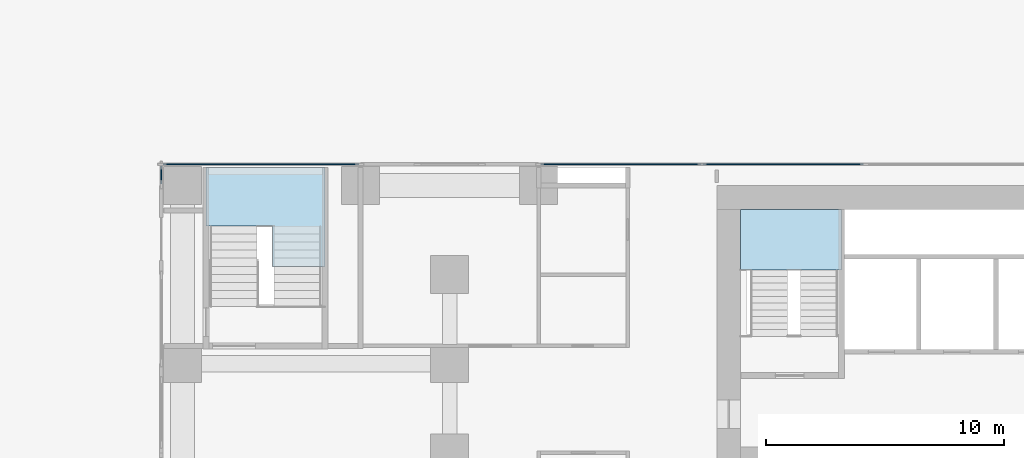
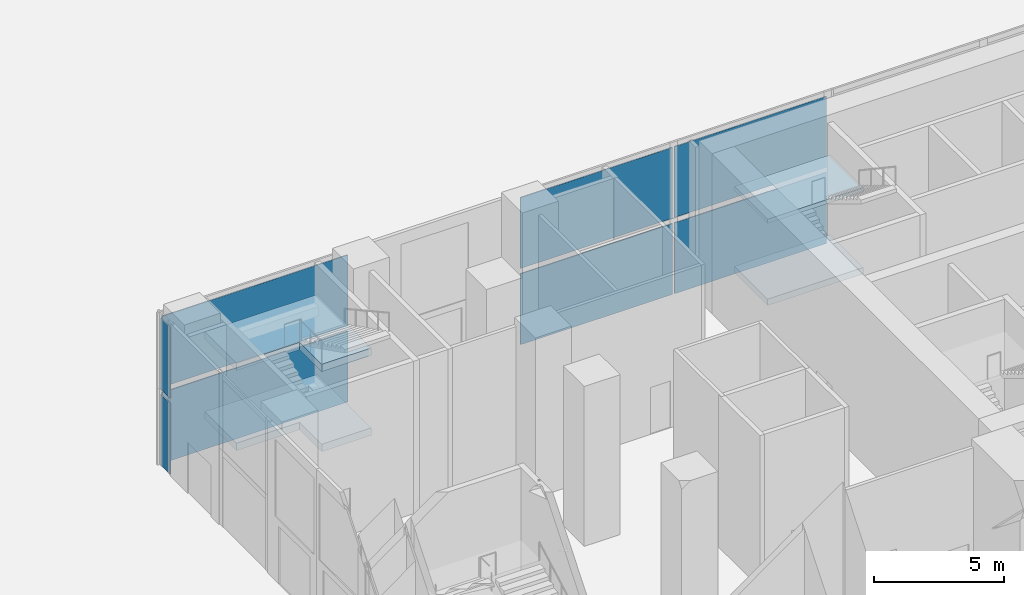
# One storey, part 8 of 21: 8 plates, 4 slabs, 8 elements without a shape of their own.
"""IFC4 building model written with IfcOpenShell, lengths in metres."""

from ifc_helpers import new_model, si_unit, direction, frame, origin, origin_2d, place, context, subcontext, project, spatial, polyline, rectangle, outline, extrude, material, layer, layer_set, type_object, element, aggregate, save


model = new_model("IFC4")

# Units and contexts
model_context = context("Model", 3, precision=1e-05, world=origin(), true_north=direction((0.0, 1.0)))
body_context = subcontext(model_context, "Body", "Model", "MODEL_VIEW")
ifc_project = project(units=[si_unit("LENGTHUNIT", "METRE"), si_unit("AREAUNIT", "SQUARE_METRE"), si_unit("VOLUMEUNIT", "CUBIC_METRE"), si_unit("PLANEANGLEUNIT", "RADIAN"), si_unit("MASSUNIT", "GRAM", prefix="KILO")], contexts=[model_context])

# Site, building, storey
site_placement = place(None, origin())
site = spatial("IfcSite", under=ifc_project, at=site_placement, CompositionType="ELEMENT")
building_placement = place(site_placement, origin())
building = spatial("IfcBuilding", under=site, at=building_placement, Name="Pilkhan Gate Tower", CompositionType="ELEMENT")
storey_placement = place(building_placement, origin())
storey = spatial("IfcBuildingStorey", under=building, at=storey_placement, Name="L00", CompositionType="ELEMENT", Elevation=0.0)

# Curtain wall, plate
ifc_material_1 = material(Name="Pale anodised aluminium, clear low-iron laminated glazing", Category="aluminium")
curtain_wall_type = type_object("IfcCurtainWallType", Name="Podium unitised curtain wall CW-P", PredefinedType="USERDEFINED", material=ifc_material_1)
curtain_wall_1_placement = place(storey_placement, origin())
curtain_wall_1 = element("IfcCurtainWall", 1, at=curtain_wall_1_placement, inside=storey, type_object=curtain_wall_type, Name="Podium unitised curtain wall CW-P L00 N", ObjectType="UNITISED CURTAIN WALL", PredefinedType="USERDEFINED")
ifc_material_2 = material(Name="Clear low-iron laminated glazing", Category="glass")
ifc_layer_1 = layer(ifc_material_2, 0.048095703125)
ifc_layer_set_1 = layer_set([ifc_layer_1], Name="Glass panel CW-P 48")
plate_type = type_object("IfcPlateType", Name="Glass panel CW-P 48", PredefinedType="CURTAIN_PANEL", material=ifc_layer_set_1)
plate_1_placement = place(storey_placement, frame((40.802490234375, 94.64501953125, 0.0), z_axis=(0.0, 0.0, 1.0), x_axis=(1.0, 0.0, 0.0)))
plate_1 = element("IfcPlate", 2, at=plate_1_placement, type_object=plate_type, Name="CW-P panel 1", PredefinedType="CURTAIN_PANEL", context=body_context, shape_type="SweptSolid", body=[
    extrude(rectangle(XDim=8.235107421875, YDim=0.048095703125, at=origin_2d()), origin(), (0.0, 0.0, 1.0), 3.324951171875),
])
aggregate(curtain_wall_1, [plate_1])

curtain_wall_2_placement = place(storey_placement, origin())
curtain_wall_2 = element("IfcCurtainWall", 3, at=curtain_wall_2_placement, inside=storey, type_object=curtain_wall_type, Name="Podium unitised curtain wall CW-P L00 N", ObjectType="UNITISED CURTAIN WALL", PredefinedType="USERDEFINED")
plate_2_placement = place(storey_placement, frame((40.802490234375, 94.64501953125, 3.5751953125), z_axis=(0.0, 0.0, 1.0), x_axis=(1.0, 0.0, 0.0)))
plate_2 = element("IfcPlate", 4, at=plate_2_placement, type_object=plate_type, Name="CW-P panel 1", PredefinedType="CURTAIN_PANEL", context=body_context, shape_type="SweptSolid", body=[
    extrude(rectangle(XDim=8.235107421875, YDim=0.048095703125, at=origin_2d()), origin(), (0.0, 0.0, 1.0), 3.324951171875),
])
aggregate(curtain_wall_2, [plate_2])

# Curtain wall, plates
curtain_wall_3_placement = place(storey_placement, origin())
curtain_wall_3 = element("IfcCurtainWall", 5, at=curtain_wall_3_placement, inside=storey, type_object=curtain_wall_type, Name="Podium unitised curtain wall CW-P L00 N", ObjectType="UNITISED CURTAIN WALL", PredefinedType="USERDEFINED")
plate_3_placement = place(storey_placement, frame((55.95751953125, 94.64501953125, 0.0), z_axis=(0.0, 0.0, 1.0), x_axis=(1.0, 0.0, 0.0)))
plate_3 = element("IfcPlate", 6, at=plate_3_placement, type_object=plate_type, Name="CW-P panel 1", PredefinedType="CURTAIN_PANEL", context=body_context, shape_type="SweptSolid", body=[
    extrude(rectangle(XDim=6.7548828125, YDim=0.048095703125, at=origin_2d()), origin(), (0.0, 0.0, 1.0), 3.324951171875),
])
plate_4_placement = place(storey_placement, frame((62.79248046875, 94.64501953125, 0.0), z_axis=(0.0, 0.0, 1.0), x_axis=(1.0, 0.0, 0.0)))
plate_4 = element("IfcPlate", 7, at=plate_4_placement, type_object=plate_type, Name="CW-P panel 2", PredefinedType="CURTAIN_PANEL", context=body_context, shape_type="SweptSolid", body=[
    extrude(rectangle(XDim=6.7548828125, YDim=0.048095703125, at=origin_2d()), origin(), (0.0, 0.0, 1.0), 3.324951171875),
])
aggregate(curtain_wall_3, [plate_3, plate_4])

curtain_wall_4_placement = place(storey_placement, origin())
curtain_wall_4 = element("IfcCurtainWall", 8, at=curtain_wall_4_placement, inside=storey, type_object=curtain_wall_type, Name="Podium unitised curtain wall CW-P L00 N", ObjectType="UNITISED CURTAIN WALL", PredefinedType="USERDEFINED")
plate_5_placement = place(storey_placement, frame((55.95751953125, 94.64501953125, 3.5751953125), z_axis=(0.0, 0.0, 1.0), x_axis=(1.0, 0.0, 0.0)))
plate_5 = element("IfcPlate", 9, at=plate_5_placement, type_object=plate_type, Name="CW-P panel 1", PredefinedType="CURTAIN_PANEL", context=body_context, shape_type="SweptSolid", body=[
    extrude(rectangle(XDim=6.7548828125, YDim=0.048095703125, at=origin_2d()), origin(), (0.0, 0.0, 1.0), 3.324951171875),
])
plate_6_placement = place(storey_placement, frame((62.79248046875, 94.64501953125, 3.5751953125), z_axis=(0.0, 0.0, 1.0), x_axis=(1.0, 0.0, 0.0)))
plate_6 = element("IfcPlate", 10, at=plate_6_placement, type_object=plate_type, Name="CW-P panel 2", PredefinedType="CURTAIN_PANEL", context=body_context, shape_type="SweptSolid", body=[
    extrude(rectangle(XDim=6.7548828125, YDim=0.048095703125, at=origin_2d()), origin(), (0.0, 0.0, 1.0), 3.324951171875),
])
aggregate(curtain_wall_4, [plate_5, plate_6])

# Curtain wall, plate
curtain_wall_5_placement = place(storey_placement, origin())
curtain_wall_5 = element("IfcCurtainWall", 11, at=curtain_wall_5_placement, inside=storey, type_object=curtain_wall_type, Name="Podium unitised curtain wall CW-P L00 W", ObjectType="UNITISED CURTAIN WALL", PredefinedType="USERDEFINED")
plate_7_placement = place(storey_placement, frame((36.60498046875, 94.197509765625, 0.0), z_axis=(0.0, 0.0, 1.0), x_axis=(0.0, 1.0, 0.0)))
plate_7 = element("IfcPlate", 12, at=plate_7_placement, type_object=plate_type, Name="CW-P panel 1", PredefinedType="CURTAIN_PANEL", context=body_context, shape_type="SweptSolid", body=[
    extrude(rectangle(XDim=0.735107421875, YDim=0.048095703125, at=origin_2d()), origin(), (0.0, 0.0, 1.0), 3.324951171875),
])
aggregate(curtain_wall_5, [plate_7])

curtain_wall_6_placement = place(storey_placement, origin())
curtain_wall_6 = element("IfcCurtainWall", 13, at=curtain_wall_6_placement, inside=storey, type_object=curtain_wall_type, Name="Podium unitised curtain wall CW-P L00 W", ObjectType="UNITISED CURTAIN WALL", PredefinedType="USERDEFINED")
plate_8_placement = place(storey_placement, frame((36.60498046875, 94.197509765625, 3.5751953125), z_axis=(0.0, 0.0, 1.0), x_axis=(0.0, 1.0, 0.0)))
plate_8 = element("IfcPlate", 14, at=plate_8_placement, type_object=plate_type, Name="CW-P panel 1", PredefinedType="CURTAIN_PANEL", context=body_context, shape_type="SweptSolid", body=[
    extrude(rectangle(XDim=0.735107421875, YDim=0.048095703125, at=origin_2d()), origin(), (0.0, 0.0, 1.0), 3.324951171875),
])
aggregate(curtain_wall_6, [plate_8])

# Stair, slabs
ifc_material_3 = material(Name="Concrete C40/50 precast", Category="concrete")
stair_type_1 = type_object("IfcStairType", Name="Stair ST3 170x280", PredefinedType="HALF_TURN_STAIR", material=ifc_material_3)
stair_1_placement = place(storey_placement, origin())
stair_1 = element("IfcStair", 15, at=stair_1_placement, inside=storey, type_object=stair_type_1, Name="Stair ST3 L00", PredefinedType="HALF_TURN_STAIR")
ifc_material_4 = material(Name="Concrete C40/50", Category="concrete")
ifc_layer_2 = layer(ifc_material_4, 0.199951171875)
ifc_layer_set_2 = layer_set([ifc_layer_2], Name="Stair landing SL200")
slab_type_1 = type_object("IfcSlabType", Name="Stair landing SL200", PredefinedType="LANDING", material=ifc_layer_set_2)
slab_1_placement = place(storey_placement, frame((0.0, 0.0, 1.574951171875)))
slab_1 = element("IfcSlab", 16, at=slab_1_placement, type_object=slab_type_1, Name="ST3 landing 1", PredefinedType="LANDING", context=body_context, shape_type="SweptSolid", body=[
    extrude(outline(polyline([(65.25, 90.199951171875), (65.25, 92.75), (61.0, 92.75), (61.0, 90.199951171875), (65.25, 90.199951171875)])), origin(), (0.0, 0.0, 1.0), 0.300048828125),
])
slab_2_placement = place(storey_placement, frame((0.0, 0.0, 5.425048828125)))
slab_2 = element("IfcSlab", 17, at=slab_2_placement, type_object=slab_type_1, Name="ST3 landing 3", PredefinedType="LANDING", context=body_context, shape_type="SweptSolid", body=[
    extrude(outline(polyline([(65.25, 90.199951171875), (65.25, 92.75), (61.0, 92.75), (61.0, 90.199951171875), (65.25, 90.199951171875)])), origin(), (0.0, 0.0, 1.0), 0.199951171875),
])
aggregate(stair_1, [slab_1, slab_2])

stair_type_2 = type_object("IfcStairType", Name="Stair PS1 170x340", PredefinedType="HALF_TURN_STAIR", material=ifc_material_3)
stair_2_placement = place(storey_placement, origin())
stair_2 = element("IfcStair", 18, at=stair_2_placement, inside=storey, type_object=stair_type_2, Name="Stair PS1 L00", PredefinedType="HALF_TURN_STAIR")
ifc_layer_3 = layer(ifc_material_4, 0.35009765625)
ifc_layer_set_3 = layer_set([ifc_layer_3], Name="Stair landing SL350")
slab_type_2 = type_object("IfcSlabType", Name="Stair landing SL350", PredefinedType="LANDING", material=ifc_layer_set_3)
slab_3_placement = place(storey_placement, frame((0.0, 0.0, 1.52490234375)))
slab_3 = element("IfcSlab", 19, at=slab_3_placement, type_object=slab_type_2, Name="PS1 landing 1", PredefinedType="LANDING", context=body_context, shape_type="SweptSolid", body=[
    extrude(outline(polyline([(43.5, 90.35009765625), (41.300048828125, 90.35009765625), (41.300048828125, 92.049560546875), (38.5, 92.049560546875), (38.5, 94.5), (43.5, 94.5), (43.5, 92.050048828125), (43.5, 92.049560546875), (43.5, 90.35009765625)])), origin(), (0.0, 0.0, 1.0), 0.35009765625),
])
slab_4_placement = place(storey_placement, frame((0.0, 0.0, 5.27490234375)))
slab_4 = element("IfcSlab", 20, at=slab_4_placement, type_object=slab_type_2, Name="PS1 landing 3", PredefinedType="LANDING", context=body_context, shape_type="SweptSolid", body=[
    extrude(outline(polyline([(43.5, 90.35009765625), (41.300048828125, 90.35009765625), (41.300048828125, 92.049560546875), (38.5, 92.049560546875), (38.5, 94.5), (43.5, 94.5), (43.5, 92.050048828125), (43.5, 92.049560546875), (43.5, 90.35009765625)])), origin(), (0.0, 0.0, 1.0), 0.35009765625),
])
aggregate(stair_2, [slab_3, slab_4])

save(model, "model.ifc")
